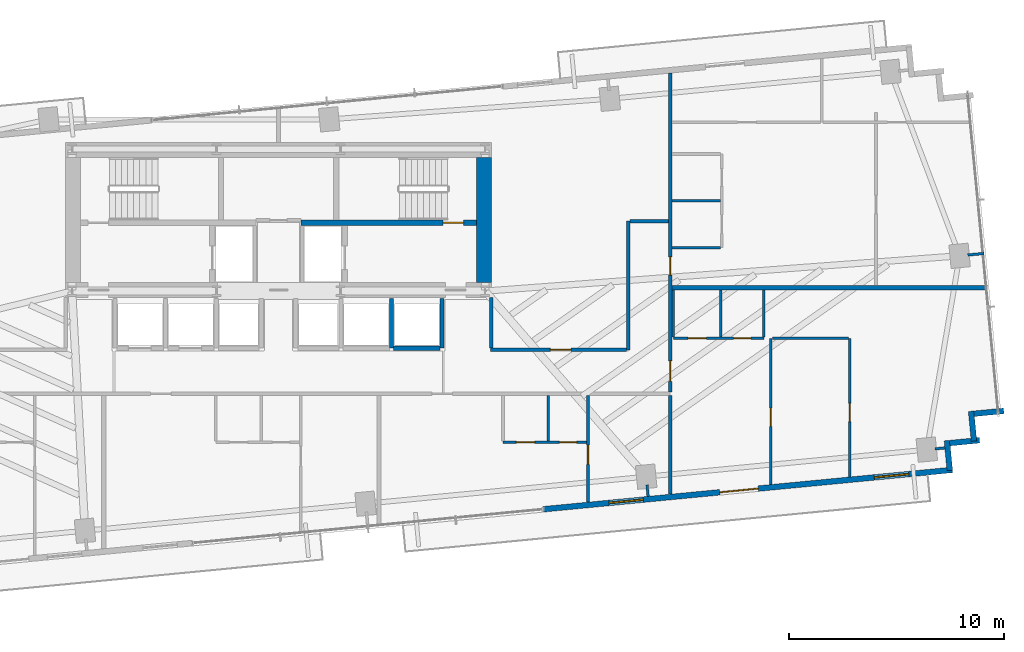
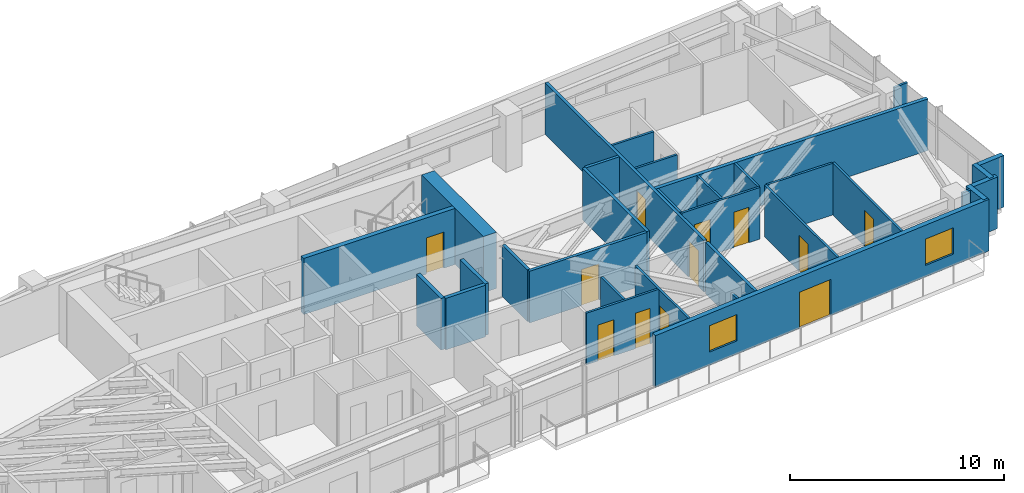
# One storey, part 23 of 27: 32 walls, 12 doors, 2 windows, 14 openings.
"""IFC4 building model written with IfcOpenShell, lengths in metres."""

from ifc_helpers import new_model, si_unit, direction, frame, frame_2d, origin, place, context, subcontext, project, spatial, rectangle, extrude, source, transform, mapped, material, layer, layer_set, type_object, type_shapes, element, fill, save


model = new_model("IFC4")

# Units and contexts
model_context = context("Model", 3, precision=1e-05, world=origin(), true_north=direction((0.0, 1.0)))
body_context = subcontext(model_context, "Body", "Model", "MODEL_VIEW")
ifc_project = project(units=[si_unit("LENGTHUNIT", "METRE"), si_unit("AREAUNIT", "SQUARE_METRE"), si_unit("VOLUMEUNIT", "CUBIC_METRE"), si_unit("PLANEANGLEUNIT", "RADIAN"), si_unit("MASSUNIT", "GRAM", prefix="KILO")], contexts=[model_context])

# Site, building, storey
site_placement = place(None, origin())
site = spatial("IfcSite", under=ifc_project, at=site_placement, CompositionType="ELEMENT")
building_placement = place(site_placement, origin())
building = spatial("IfcBuilding", under=site, at=building_placement, Name="Astriad Promenade Condominiums", CompositionType="ELEMENT")
storey_placement = place(building_placement, frame((0.0, 0.0, 93.800048828125)))
storey = spatial("IfcBuildingStorey", under=building, at=storey_placement, Name="L26", CompositionType="ELEMENT", Elevation=93.800048828125)

# Wall
ifc_material_1 = material(Name="Concrete C60/75", Category="concrete")
ifc_layer_1 = layer(ifc_material_1, 0.699951171875)
ifc_layer_set_1 = layer_set([ifc_layer_1], Name="Concrete C60/75")
wall_type_1 = type_object("IfcWallType", Name="CW-SHEAR-700", PredefinedType="SHEAR", material=ifc_layer_set_1)
wall_1_placement = place(storey_placement, frame((45.550048828125, 17.802001953125, 0.0), z_axis=(0.0, 0.0, 1.0), x_axis=(0.0, 1.0, 0.0)))
element("IfcWall", 1, at=wall_1_placement, inside=storey, type_object=wall_type_1, Name="CW-CORE-E-L26", PredefinedType="SHEAR", context=body_context, shape_type="SweptSolid", body=[
    extrude(rectangle(XDim=5.7958984375, YDim=0.699951171875, at=frame_2d((2.89794921875, 0.0))), origin(), (0.0, 0.0, 1.0), 3.199951171875),
])

# Wall, opening, door
ifc_material_2 = material(Name="Concrete C50/60", Category="concrete")
ifc_layer_2 = layer(ifc_material_2, 0.25)
ifc_layer_set_2 = layer_set([ifc_layer_2], Name="Concrete C50/60")
wall_type_2 = type_object("IfcWallType", Name="WALL-CORE-INT-250", PredefinedType="SOLIDWALL", material=ifc_layer_set_2)
wall_2_placement = place(storey_placement, frame((37.050048828125, 20.574951171875, 0.0), z_axis=(0.0, 0.0, 1.0), x_axis=(1.0, 0.0, 0.0)))
wall_2 = element("IfcWall", 2, at=wall_2_placement, inside=storey, type_object=wall_type_2, Name="CW-INT-H2-L26", PredefinedType="SOLIDWALL", context=body_context, shape_type="SweptSolid", body=[
    extrude(rectangle(XDim=8.14794921875, YDim=0.25, at=frame_2d((4.073974609375, 0.0))), origin(), (0.0, 0.0, 1.0), 3.199951171875),
])
opening_1_placement = place(wall_2_placement, frame((6.60009765625, 0.0, 0.0)))
opening_1 = element("IfcOpeningElement", 3, at=opening_1_placement, cuts=wall_2, Name="Opening FD90-ST-095", PredefinedType="OPENING", context=body_context, shape_type="SweptSolid", body=[
    extrude(rectangle(XDim=0.949951171875, YDim=2.06005859375, at=frame_2d((0.47509765625, 1.030029296875))), frame((0.0, 0.135009765625, 0.0), z_axis=(0.0, -1.0, 0.0), x_axis=(1.0, 0.0, 0.0)), (0.0, 0.0, 1.0), 0.27001953125),
])
ifc_material_3 = material(Name="Fire-Rated Hollow Metal Stair Door")
door_type_1 = type_object("IfcDoorType", Name="FD90-ST-095", OperationType="NOTDEFINED", PredefinedType="DOOR", material=ifc_material_3)
shared_shape_1 = source(origin(), body_context, "Body", "SweptSolid", [
    extrude(rectangle(XDim=0.949951171875, YDim=2.06005859375, at=frame_2d((0.47509765625, 1.030029296875))), frame((0.0, 0.02490234375, 0.0), z_axis=(0.0, -1.0, 0.0), x_axis=(1.0, 0.0, 0.0)), (0.0, 0.0, 1.0), 0.050048828125),
])
type_shapes(door_type_1, [shared_shape_1])
door_1_placement = place(opening_1_placement, origin())
door_1 = element("IfcDoor", 4, at=door_1_placement, inside=storey, type_object=door_type_1, Name="D-ST2-L26", OperationType="SINGLE_SWING_LEFT", OverallHeight=2.06005859375, OverallWidth=0.949951171875, PredefinedType="DOOR", context=body_context, shape_type="MappedRepresentation", body=[
    mapped(shared_shape_1, transform((0.0, 0.0, 0.0), scale=1.0)),
])
fill(opening_1, door_1)

# Wall
ifc_material_4 = material(Name="Fire-Rated Gypsum Partition")
ifc_layer_3 = layer(ifc_material_4, 0.159912109375)
ifc_layer_set_3 = layer_set([ifc_layer_3], Name="Fire-Rated Gypsum Partition")
wall_type_3 = type_object("IfcWallType", Name="WALL-CORR-160", PredefinedType="PARTITIONING", material=ifc_layer_set_3)
wall_3_placement = place(storey_placement, frame((54.199951171875, 7.961181640625, 0.0), z_axis=(0.0, 0.0, 1.0), x_axis=(0.0, 1.0, 0.0)))
element("IfcWall", 5, at=wall_3_placement, inside=storey, type_object=wall_type_3, Name="PT-COR-E-L26", PredefinedType="PARTITIONING", context=body_context, shape_type="SweptSolid", body=[
    extrude(rectangle(XDim=4.5869140625, YDim=0.159912109375, at=frame_2d((2.29345703125, 0.0))), origin(), (0.0, 0.0, 1.0), 2.93994140625),
])

# Wall, openings, doors
wall_4_placement = place(storey_placement, frame((54.199951171875, 12.7119140625, 0.0), z_axis=(0.0, 0.0, 1.0), x_axis=(0.0, 1.0, 0.0)))
wall_4 = element("IfcWall", 6, at=wall_4_placement, inside=storey, type_object=wall_type_3, Name="PT-COR-E-L26-S2", PredefinedType="PARTITIONING", context=body_context, shape_type="SweptSolid", body=[
    extrude(rectangle(XDim=14.8154296875, YDim=0.159912109375, at=frame_2d((7.40771484375, 0.0))), origin(), (0.0, 0.0, 1.0), 2.93994140625),
])
opening_2_placement = place(wall_4_placement, frame((0.492919921875, 0.0, 0.0)))
opening_2 = element("IfcOpeningElement", 7, at=opening_2_placement, cuts=wall_4, Name="Opening FD60-APT-095", PredefinedType="OPENING", context=body_context, shape_type="SweptSolid", body=[
    extrude(rectangle(XDim=0.949951171875, YDim=2.06005859375, at=frame_2d((0.47509765625, 1.030029296875))), frame((0.0, 0.08984375, 0.0), z_axis=(0.0, -1.0, 0.0), x_axis=(1.0, 0.0, 0.0)), (0.0, 0.0, 1.0), 0.179931640625),
])
opening_3_placement = place(wall_4_placement, frame((5.43310546875, 0.0, 0.0)))
opening_3 = element("IfcOpeningElement", 8, at=opening_3_placement, cuts=wall_4, Name="Opening FD60-ULOW-085", PredefinedType="OPENING", context=body_context, shape_type="SweptSolid", body=[
    extrude(rectangle(XDim=0.85009765625, YDim=2.0, at=frame_2d((0.425048828125, 1.0))), frame((0.0, 0.08984375, 0.0), z_axis=(0.0, -1.0, 0.0), x_axis=(1.0, 0.0, 0.0)), (0.0, 0.0, 1.0), 0.179931640625),
])
ifc_material_5 = material(Name="Solid-Core Acoustic Timber Residence Entry Door", Category="wood")
door_type_2 = type_object("IfcDoorType", Name="FD60-APT-095", OperationType="NOTDEFINED", PredefinedType="DOOR", material=ifc_material_5)
shared_shape_2 = source(origin(), body_context, "Body", "SweptSolid", [
    extrude(rectangle(XDim=0.949951171875, YDim=2.06005859375, at=frame_2d((0.47509765625, 1.030029296875))), frame((0.0, 0.02490234375, 0.0), z_axis=(0.0, -1.0, 0.0), x_axis=(1.0, 0.0, 0.0)), (0.0, 0.0, 1.0), 0.050048828125),
])
type_shapes(door_type_2, [shared_shape_2])
door_2_placement = place(opening_2_placement, origin())
door_2 = element("IfcDoor", 9, at=door_2_placement, inside=storey, type_object=door_type_2, Name="D-ENT-L26-E1", OperationType="SINGLE_SWING_LEFT", OverallHeight=2.06005859375, OverallWidth=0.949951171875, PredefinedType="DOOR", context=body_context, shape_type="MappedRepresentation", body=[
    mapped(shared_shape_2, transform((0.0, 0.0, 0.0), scale=1.0)),
])
fill(opening_2, door_2)
ifc_material_6 = material(Name="Solid-Core Low-Headroom Fire Door")
door_type_3 = type_object("IfcDoorType", Name="FD60-ULOW-085", OperationType="NOTDEFINED", PredefinedType="DOOR", material=ifc_material_6)
shared_shape_3 = source(origin(), body_context, "Body", "SweptSolid", [
    extrude(rectangle(XDim=0.85009765625, YDim=2.0, at=frame_2d((0.425048828125, 1.0))), frame((0.0, 0.02490234375, 0.0), z_axis=(0.0, -1.0, 0.0), x_axis=(1.0, 0.0, 0.0)), (0.0, 0.0, 1.0), 0.050048828125),
])
type_shapes(door_type_3, [shared_shape_3])
door_3_placement = place(opening_3_placement, origin())
door_3 = element("IfcDoor", 10, at=door_3_placement, inside=storey, type_object=door_type_3, Name="D-ENT-L26-E2", OperationType="SINGLE_SWING_RIGHT", OverallHeight=2.0, OverallWidth=0.85009765625, PredefinedType="DOOR", context=body_context, shape_type="MappedRepresentation", body=[
    mapped(shared_shape_3, transform((0.0, 0.0, 0.0), scale=1.0)),
])
fill(opening_3, door_3)

# Walls
wall_5_placement = place(storey_placement, frame((52.25, 14.659912109375, 0.0), z_axis=(0.0, 0.0, 1.0), x_axis=(0.0, 1.0, 0.0)))
element("IfcWall", 11, at=wall_5_placement, inside=storey, type_object=wall_type_3, Name="PT-EALC-W-L26", PredefinedType="PARTITIONING", context=body_context, shape_type="SweptSolid", body=[
    extrude(rectangle(XDim=5.989990234375, YDim=0.159912109375, at=frame_2d((2.9951171875, 0.0))), origin(), (0.0, 0.0, 1.0), 2.93994140625),
])
wall_6_placement = place(storey_placement, frame((52.33203125, 20.64990234375, 0.0), z_axis=(0.0, 0.0, 1.0), x_axis=(1.0, 0.0, 0.0)))
element("IfcWall", 12, at=wall_6_placement, inside=storey, type_object=wall_type_3, Name="PT-EALC-N-L26", PredefinedType="PARTITIONING", context=body_context, shape_type="SweptSolid", body=[
    extrude(rectangle(XDim=1.785888671875, YDim=0.159912109375, at=frame_2d((0.89306640625, 0.0))), origin(), (0.0, 0.0, 1.0), 2.93994140625),
])

# Wall, opening, door
wall_7_placement = place(storey_placement, frame((45.840087890625, 14.679931640625, 0.0), z_axis=(0.0, 0.0, 1.0), x_axis=(1.0, 0.0, 0.0)))
wall_7 = element("IfcWall", 13, at=wall_7_placement, inside=storey, type_object=wall_type_3, Name="PT-FLK-NE-L26", PredefinedType="PARTITIONING", context=body_context, shape_type="SweptSolid", body=[
    extrude(rectangle(XDim=6.327880859375, YDim=0.159912109375, at=frame_2d((3.1640625, 0.0))), origin(), (0.0, 0.0, 1.0), 2.93994140625),
])
opening_4_placement = place(wall_7_placement, frame((2.7900390625, 0.0, 0.0)))
opening_4 = element("IfcOpeningElement", 14, at=opening_4_placement, cuts=wall_7, Name="Opening FD60-APT-095", PredefinedType="OPENING", context=body_context, shape_type="SweptSolid", body=[
    extrude(rectangle(XDim=0.949951171875, YDim=2.06005859375, at=frame_2d((0.47509765625, 1.030029296875))), frame((0.0, 0.08984375, 0.0), z_axis=(0.0, -1.0, 0.0), x_axis=(1.0, 0.0, 0.0)), (0.0, 0.0, 1.0), 0.179931640625),
])
door_4_placement = place(opening_4_placement, origin())
door_4 = element("IfcDoor", 15, at=door_4_placement, inside=storey, type_object=door_type_2, Name="D-NEA-L26", OperationType="SINGLE_SWING_LEFT", OverallHeight=2.06005859375, OverallWidth=0.949951171875, PredefinedType="DOOR", context=body_context, shape_type="MappedRepresentation", body=[
    mapped(shared_shape_2, transform((0.0, 0.0, 0.0), scale=1.0)),
])
fill(opening_4, door_4)

# Walls
wall_8_placement = place(storey_placement, frame((45.8798828125, 14.761962890625, 0.0), z_axis=(0.0, 0.0, 1.0), x_axis=(0.0, 1.0, 0.0)))
element("IfcWall", 16, at=wall_8_placement, inside=storey, type_object=wall_type_3, Name="PT-ESPUR-E-L26", PredefinedType="PARTITIONING", context=body_context, shape_type="SweptSolid", body=[
    extrude(rectangle(XDim=2.3359375, YDim=0.159912109375, at=frame_2d((1.16796875, 0.0))), origin(), (0.0, 0.0, 1.0), 2.93994140625),
])
ifc_material_7 = material(Name="Acoustic Double-Stud Gypsum Partition")
ifc_layer_4 = layer(ifc_material_7, 0.199951171875)
ifc_layer_set_4 = layer_set([ifc_layer_4], Name="Acoustic Double-Stud Gypsum Partition")
wall_type_4 = type_object("IfcWallType", Name="WALL-DEMISING-200", PredefinedType="PARTITIONING", material=ifc_layer_set_4)
wall_9_placement = place(storey_placement, frame((54.281982421875, 17.550048828125, 0.0), z_axis=(0.0, 0.0, 1.0), x_axis=(1.0, 0.0, 0.0)))
element("IfcWall", 17, at=wall_9_placement, inside=storey, type_object=wall_type_4, Name="PT-DEM-EE-L26", PredefinedType="PARTITIONING", context=body_context, shape_type="SweptSolid", body=[
    extrude(rectangle(XDim=14.655029296875, YDim=0.199951171875, at=frame_2d((7.32763671875, 0.0))), origin(), (0.0, 0.0, 1.0), 2.93994140625),
])
ifc_material_8 = material(Name="Precast concrete C50/60", Category="concrete")
ifc_layer_5 = layer(ifc_material_8, 0.260009765625)
ifc_layer_set_5 = layer_set([ifc_layer_5], Name="Precast concrete C50/60")
wall_type_5 = type_object("IfcWallType", Name="WALL-EXT-TWR-260", PredefinedType="STANDARD", material=ifc_layer_set_5)
for number, where, z_axis, x_axis, name in (
    (18, (69.698486328125, 11.83251953125, 0.0), (0.0, 0.0, 1.0), (-0.99540614245, -0.095742423056, 0.0), "W-SER-L26-14"),
    (19, (68.18310546875, 11.817138671875, 0.0), (0.0, 0.0, 1.0), (0.095915846097, -0.995389446633, 0.0), "W-SER-L26-15"),
):
    element("IfcWall", number, at=place(storey_placement, frame(where, z_axis=z_axis, x_axis=x_axis)), inside=storey, type_object=wall_type_5, Name=name, PredefinedType="STANDARD", context=body_context, shape_type="SweptSolid", body=[
        extrude(rectangle(XDim=1.394775390625, YDim=0.260009765625, at=frame_2d((0.697265625, 0.0))), origin(), (0.0, 0.0, 1.0), 2.93994140625),
    ])
wall_10_placement = place(storey_placement, frame((68.57421875, 10.468505859375, 0.0), z_axis=(0.0, 0.0, 1.0), x_axis=(-0.99540774648, -0.095725744959, 0.0)))
element("IfcWall", 20, at=wall_10_placement, inside=storey, type_object=wall_type_5, Name="W-SER-L26-16", PredefinedType="STANDARD", context=body_context, shape_type="SweptSolid", body=[
    extrude(rectangle(XDim=1.39501953125, YDim=0.260009765625, at=frame_2d((0.697509765625, 0.0))), origin(), (0.0, 0.0, 1.0), 2.93994140625),
])
wall_11_placement = place(storey_placement, frame((67.05859375, 10.453125, 0.0), z_axis=(0.0, 0.0, 1.0), x_axis=(0.095915846097, -0.995389446633, 0.0)))
element("IfcWall", 21, at=wall_11_placement, inside=storey, type_object=wall_type_5, Name="W-SER-L26-17", PredefinedType="STANDARD", context=body_context, shape_type="SweptSolid", body=[
    extrude(rectangle(XDim=1.394775390625, YDim=0.260009765625, at=frame_2d((0.697265625, 0.0))), origin(), (0.0, 0.0, 1.0), 2.93994140625),
])

# Wall, openings, door, windows
wall_12_placement = place(storey_placement, frame((67.3203125, 9.092041015625, 0.0), z_axis=(0.0, 0.0, 1.0), x_axis=(-0.995396521236, -0.095842399342, 0.0)))
wall_12 = element("IfcWall", 22, at=wall_12_placement, inside=storey, type_object=wall_type_5, Name="W-EXT-L26-S1", PredefinedType="STANDARD", context=body_context, shape_type="SweptSolid", body=[
    extrude(rectangle(XDim=19.10986328125, YDim=0.260009765625, at=frame_2d((9.554931640625, 0.0))), origin(), (0.0, 0.0, 1.0), 2.93994140625),
])
opening_5_placement = place(wall_12_placement, frame((9.06689453125, 0.0, 0.0)))
opening_5 = element("IfcOpeningElement", 23, at=opening_5_placement, cuts=wall_12, Name="Opening BD-1822-SLD", PredefinedType="OPENING", context=body_context, shape_type="SweptSolid", body=[
    extrude(rectangle(XDim=1.800048828125, YDim=2.06005859375, at=frame_2d((0.89990234375, 1.030029296875))), frame((0.0, 0.139892578125, 0.0), z_axis=(0.0, -1.0, 0.0), x_axis=(1.0, 0.0, 0.0)), (0.0, 0.0, 1.0), 0.280029296875),
])
opening_6_placement = place(wall_12_placement, frame((2.050048828125, 0.0, 0.64990234375)))
opening_6 = element("IfcOpeningElement", 24, at=opening_6_placement, cuts=wall_12, Name="Opening WIN-TWR-1620", PredefinedType="OPENING", context=body_context, shape_type="SweptSolid", body=[
    extrude(rectangle(XDim=1.60009765625, YDim=1.5, at=frame_2d((0.800048828125, 0.75))), frame((0.0, 0.139892578125, 0.0), z_axis=(0.0, -1.0, 0.0), x_axis=(1.0, 0.0, 0.0)), (0.0, 0.0, 1.0), 0.280029296875),
])
opening_7_placement = place(wall_12_placement, frame((14.43798828125, 0.0, 0.75)))
opening_7 = element("IfcOpeningElement", 25, at=opening_7_placement, cuts=wall_12, Name="Opening WIN-TWR-1620", PredefinedType="OPENING", context=body_context, shape_type="SweptSolid", body=[
    extrude(rectangle(XDim=1.60009765625, YDim=1.5, at=frame_2d((0.800048828125, 0.75))), frame((0.0, 0.139892578125, 0.0), z_axis=(0.0, -1.0, 0.0), x_axis=(1.0, 0.0, 0.0)), (0.0, 0.0, 1.0), 0.280029296875),
])
ifc_material_9 = material(Name="Thermally Broken Aluminium Sliding Balcony Door", Category="aluminium")
door_type_4 = type_object("IfcDoorType", Name="BD-1822-SLD", OperationType="NOTDEFINED", PredefinedType="DOOR", material=ifc_material_9)
shared_shape_4 = source(origin(), body_context, "Body", "SweptSolid", [
    extrude(rectangle(XDim=1.800048828125, YDim=2.06005859375, at=frame_2d((0.89990234375, 1.030029296875))), frame((0.0, 0.02490234375, 0.0), z_axis=(0.0, -1.0, 0.0), x_axis=(1.0, 0.0, 0.0)), (0.0, 0.0, 1.0), 0.050048828125),
])
type_shapes(door_type_4, [shared_shape_4])
door_5_placement = place(opening_5_placement, origin())
door_5 = element("IfcDoor", 26, at=door_5_placement, inside=storey, type_object=door_type_4, Name="BD-L26-SE", OperationType="SLIDING_TO_RIGHT", OverallHeight=2.06005859375, OverallWidth=1.800048828125, PredefinedType="DOOR", context=body_context, shape_type="MappedRepresentation", body=[
    mapped(shared_shape_4, transform((0.0, 0.0, 0.0), scale=1.0)),
])
fill(opening_5, door_5)
ifc_material_10 = material(Name="Dark Tinted Triple-Glazed Aluminium Window", Category="aluminium")
window_type = type_object("IfcWindowType", Name="WIN-TWR-1620", PartitioningType="SINGLE_PANEL", PredefinedType="WINDOW", material=ifc_material_10)
shared_shape_5 = source(origin(), body_context, "Body", "SweptSolid", [
    extrude(rectangle(XDim=1.60009765625, YDim=1.5, at=frame_2d((0.800048828125, 0.75))), frame((0.0, 0.030029296875, 0.0), z_axis=(0.0, -1.0, 0.0), x_axis=(1.0, 0.0, 0.0)), (0.0, 0.0, 1.0), 0.06005859375),
])
type_shapes(window_type, [shared_shape_5])
window_1_placement = place(opening_6_placement, origin())
window_1 = element("IfcWindow", 27, at=window_1_placement, inside=storey, type_object=window_type, Name="WIN-L26-SE", OverallHeight=1.5, OverallWidth=1.60009765625, PartitioningType="SINGLE_PANEL", PredefinedType="WINDOW", context=body_context, shape_type="MappedRepresentation", body=[
    mapped(shared_shape_5, transform((0.0, 0.0, 0.0), scale=1.0)),
])
fill(opening_6, window_1)
window_2_placement = place(opening_7_placement, origin())
window_2 = element("IfcWindow", 28, at=window_2_placement, inside=storey, type_object=window_type, Name="WIN-DW-L26-S3-BD1", OverallHeight=1.5, OverallWidth=1.60009765625, PartitioningType="SINGLE_PANEL", PredefinedType="WINDOW", context=body_context, shape_type="MappedRepresentation", body=[
    mapped(shared_shape_5, transform((0.0, 0.0, 0.0), scale=1.0)),
])
fill(opening_7, window_2)

# Wall, opening, door
ifc_material_11 = material(Name="Acoustic Metal-Stud Gypsum Partition")
ifc_layer_6 = layer(ifc_material_11, 0.1201171875)
ifc_layer_set_6 = layer_set([ifc_layer_6], Name="Acoustic Metal-Stud Gypsum Partition")
wall_type_6 = type_object("IfcWallType", Name="WALL-PART-120", PredefinedType="PARTITIONING", material=ifc_layer_set_6)
wall_13_placement = place(storey_placement, frame((50.3798828125, 7.593505859375, 0.0), z_axis=(0.0, 0.0, 1.0), x_axis=(0.0, 1.0, 0.0)))
wall_13 = element("IfcWall", 29, at=wall_13_placement, inside=storey, type_object=wall_type_6, Name="PT-L26-S3-BD1", PredefinedType="PARTITIONING", context=body_context, shape_type="SweptSolid", body=[
    extrude(rectangle(XDim=4.95458984375, YDim=0.1201171875, at=frame_2d((2.477294921875, 0.0))), origin(), (0.0, 0.0, 1.0), 2.93994140625),
])
opening_8_placement = place(wall_13_placement, frame((1.75244140625, 0.0, 0.0)))
opening_8 = element("IfcOpeningElement", 30, at=opening_8_placement, cuts=wall_13, Name="Opening D-INT-090", PredefinedType="OPENING", context=body_context, shape_type="SweptSolid", body=[
    extrude(rectangle(XDim=0.89990234375, YDim=2.050048828125, at=frame_2d((0.449951171875, 1.02490234375))), frame((0.0, 0.070068359375, 0.0), z_axis=(0.0, -1.0, 0.0), x_axis=(1.0, 0.0, 0.0)), (0.0, 0.0, 1.0), 0.14013671875),
])
ifc_material_12 = material(Name="Painted Solid-Core Timber Bedroom Door", Category="wood")
door_type_5 = type_object("IfcDoorType", Name="D-INT-090", OperationType="NOTDEFINED", PredefinedType="DOOR", material=ifc_material_12)
shared_shape_6 = source(origin(), body_context, "Body", "SweptSolid", [
    extrude(rectangle(XDim=0.89990234375, YDim=2.050048828125, at=frame_2d((0.449951171875, 1.02490234375))), frame((0.0, 0.02490234375, 0.0), z_axis=(0.0, -1.0, 0.0), x_axis=(1.0, 0.0, 0.0)), (0.0, 0.0, 1.0), 0.050048828125),
])
type_shapes(door_type_5, [shared_shape_6])
door_6_placement = place(opening_8_placement, origin())
door_6 = element("IfcDoor", 31, at=door_6_placement, inside=storey, type_object=door_type_5, Name="D-BD1-L26-S3", OperationType="SINGLE_SWING_RIGHT", OverallHeight=2.050048828125, OverallWidth=0.89990234375, PredefinedType="DOOR", context=body_context, shape_type="MappedRepresentation", body=[
    mapped(shared_shape_6, transform((0.0, 0.0, 0.0), scale=1.0)),
])
fill(opening_8, door_6)

# Wall, openings, doors
wall_14_placement = place(storey_placement, frame((46.429931640625, 10.3798828125, 0.0), z_axis=(0.0, 0.0, 1.0), x_axis=(1.0, 0.0, 0.0)))
wall_14 = element("IfcWall", 32, at=wall_14_placement, inside=storey, type_object=wall_type_6, Name="PT-L26-S3-PS", PredefinedType="PARTITIONING", context=body_context, shape_type="SweptSolid", body=[
    extrude(rectangle(XDim=3.88818359375, YDim=0.1201171875, at=frame_2d((1.944091796875, 0.0))), origin(), (0.0, 0.0, 1.0), 2.93994140625),
])
opening_9_placement = place(wall_14_placement, frame((0.625, 0.0, 0.0)))
opening_9 = element("IfcOpeningElement", 33, at=opening_9_placement, cuts=wall_14, Name="Opening D-INT-085", PredefinedType="OPENING", context=body_context, shape_type="SweptSolid", body=[
    extrude(rectangle(XDim=0.85009765625, YDim=2.050048828125, at=frame_2d((0.425048828125, 1.02490234375))), frame((0.0, 0.070068359375, 0.0), z_axis=(0.0, -1.0, 0.0), x_axis=(1.0, 0.0, 0.0)), (0.0, 0.0, 1.0), 0.14013671875),
])
opening_10_placement = place(wall_14_placement, frame((2.625, 0.0, 0.0)))
opening_10 = element("IfcOpeningElement", 34, at=opening_10_placement, cuts=wall_14, Name="Opening D-WET-080", PredefinedType="OPENING", context=body_context, shape_type="SweptSolid", body=[
    extrude(rectangle(XDim=0.800048828125, YDim=2.02001953125, at=frame_2d((0.39990234375, 1.010009765625))), frame((0.0, 0.070068359375, 0.0), z_axis=(0.0, -1.0, 0.0), x_axis=(1.0, 0.0, 0.0)), (0.0, 0.0, 1.0), 0.14013671875),
])
ifc_material_13 = material(Name="Moisture-Resistant Timber Bathroom Door", Category="wood")
door_type_6 = type_object("IfcDoorType", Name="D-WET-080", OperationType="NOTDEFINED", PredefinedType="DOOR", material=ifc_material_13)
shared_shape_7 = source(origin(), body_context, "Body", "SweptSolid", [
    extrude(rectangle(XDim=0.800048828125, YDim=2.02001953125, at=frame_2d((0.39990234375, 1.010009765625))), frame((0.0, 0.02490234375, 0.0), z_axis=(0.0, -1.0, 0.0), x_axis=(1.0, 0.0, 0.0)), (0.0, 0.0, 1.0), 0.050048828125),
])
type_shapes(door_type_6, [shared_shape_7])
door_7_placement = place(opening_10_placement, origin())
door_7 = element("IfcDoor", 35, at=door_7_placement, inside=storey, type_object=door_type_6, Name="D-BTH-L26-S3", OperationType="SINGLE_SWING_RIGHT", OverallHeight=2.02001953125, OverallWidth=0.800048828125, PredefinedType="DOOR", context=body_context, shape_type="MappedRepresentation", body=[
    mapped(shared_shape_7, transform((0.0, 0.0, 0.0), scale=1.0)),
])
fill(opening_10, door_7)
ifc_material_14 = material(Name="Painted Solid-Core Timber Room Door", Category="wood")
door_type_7 = type_object("IfcDoorType", Name="D-INT-085", OperationType="NOTDEFINED", PredefinedType="DOOR", material=ifc_material_14)
shared_shape_8 = source(origin(), body_context, "Body", "SweptSolid", [
    extrude(rectangle(XDim=0.85009765625, YDim=2.050048828125, at=frame_2d((0.425048828125, 1.02490234375))), frame((0.0, 0.02490234375, 0.0), z_axis=(0.0, -1.0, 0.0), x_axis=(1.0, 0.0, 0.0)), (0.0, 0.0, 1.0), 0.050048828125),
])
type_shapes(door_type_7, [shared_shape_8])
door_8_placement = place(opening_9_placement, origin())
door_8 = element("IfcDoor", 36, at=door_8_placement, inside=storey, type_object=door_type_7, Name="D-KIT-L26-S3", OperationType="SINGLE_SWING_LEFT", OverallHeight=2.050048828125, OverallWidth=0.85009765625, PredefinedType="DOOR", context=body_context, shape_type="MappedRepresentation", body=[
    mapped(shared_shape_8, transform((0.0, 0.0, 0.0), scale=1.0)),
])
fill(opening_9, door_8)

# Wall
wall_15_placement = place(storey_placement, frame((48.530029296875, 10.44189453125, 0.0), z_axis=(0.0, 0.0, 1.0), x_axis=(0.0, 1.0, 0.0)))
element("IfcWall", 37, at=wall_15_placement, inside=storey, type_object=wall_type_6, Name="PT-L26-S3-PBK", PredefinedType="PARTITIONING", context=body_context, shape_type="SweptSolid", body=[
    extrude(rectangle(XDim=2.106201171875, YDim=0.1201171875, at=frame_2d((1.05322265625, 0.0))), origin(), (0.0, 0.0, 1.0), 2.93994140625),
])

# Wall, openings, doors
wall_16_placement = place(storey_placement, frame((54.35009765625, 15.199951171875, 0.0), z_axis=(0.0, 0.0, 1.0), x_axis=(1.0, 0.0, 0.0)))
wall_16 = element("IfcWall", 38, at=wall_16_placement, inside=storey, type_object=wall_type_6, Name="PT-L26-E1-PH", PredefinedType="PARTITIONING", context=body_context, shape_type="SweptSolid", body=[
    extrude(rectangle(XDim=4.199951171875, YDim=0.1201171875, at=frame_2d((2.10009765625, 0.0))), origin(), (0.0, 0.0, 1.0), 2.93994140625),
])
opening_11_placement = place(wall_16_placement, frame((0.675048828125, 0.0, 0.0)))
opening_11 = element("IfcOpeningElement", 39, at=opening_11_placement, cuts=wall_16, Name="Opening D-INT-085", PredefinedType="OPENING", context=body_context, shape_type="SweptSolid", body=[
    extrude(rectangle(XDim=0.85009765625, YDim=2.050048828125, at=frame_2d((0.425048828125, 1.02490234375))), frame((0.0, 0.070068359375, 0.0), z_axis=(0.0, -1.0, 0.0), x_axis=(1.0, 0.0, 0.0)), (0.0, 0.0, 1.0), 0.14013671875),
])
opening_12_placement = place(wall_16_placement, frame((2.800048828125, 0.0, 0.0)))
opening_12 = element("IfcOpeningElement", 40, at=opening_12_placement, cuts=wall_16, Name="Opening D-WET-080", PredefinedType="OPENING", context=body_context, shape_type="SweptSolid", body=[
    extrude(rectangle(XDim=0.800048828125, YDim=2.02001953125, at=frame_2d((0.39990234375, 1.010009765625))), frame((0.0, 0.070068359375, 0.0), z_axis=(0.0, -1.0, 0.0), x_axis=(1.0, 0.0, 0.0)), (0.0, 0.0, 1.0), 0.14013671875),
])
door_9_placement = place(opening_12_placement, origin())
door_9 = element("IfcDoor", 41, at=door_9_placement, inside=storey, type_object=door_type_6, Name="D-BTH-L26-E1", OperationType="SINGLE_SWING_LEFT", OverallHeight=2.02001953125, OverallWidth=0.800048828125, PredefinedType="DOOR", context=body_context, shape_type="MappedRepresentation", body=[
    mapped(shared_shape_7, transform((0.0, 0.0, 0.0), scale=1.0)),
])
fill(opening_12, door_9)
door_10_placement = place(opening_11_placement, origin())
door_10 = element("IfcDoor", 42, at=door_10_placement, inside=storey, type_object=door_type_7, Name="D-KIT-L26-E1", OperationType="SINGLE_SWING_RIGHT", OverallHeight=2.050048828125, OverallWidth=0.85009765625, PredefinedType="DOOR", context=body_context, shape_type="MappedRepresentation", body=[
    mapped(shared_shape_8, transform((0.0, 0.0, 0.0), scale=1.0)),
])
fill(opening_11, door_10)

# Walls
for number, where, z_axis, x_axis, name in (
    (43, (54.35009765625, 15.261962890625, 0.0), (0.0, 0.0, 1.0), (0.0, 1.0, 0.0), "PT-L26-E1-PK1"),
    (44, (56.550048828125, 15.261962890625, 0.0), (0.0, 0.0, 1.0), (0.0, 1.0, 0.0), "PT-L26-E1-PK2"),
    (45, (58.550048828125, 15.261962890625, 0.0), (0.0, 0.0, 1.0), (0.0, 1.0, 0.0), "PT-L26-E1-PK3"),
):
    element("IfcWall", number, at=place(storey_placement, frame(where, z_axis=z_axis, x_axis=x_axis)), inside=storey, type_object=wall_type_6, Name=name, PredefinedType="PARTITIONING", context=body_context, shape_type="SweptSolid", body=[
        extrude(rectangle(XDim=2.18603515625, YDim=0.1201171875, at=frame_2d((1.093017578125, 0.0))), origin(), (0.0, 0.0, 1.0), 2.93994140625),
    ])

# Wall, opening, door
wall_17_placement = place(storey_placement, frame((58.8798828125, 8.411865234375, 0.0), z_axis=(0.0, 0.0, 1.0), x_axis=(0.0, 1.0, 0.0)))
wall_17 = element("IfcWall", 46, at=wall_17_placement, inside=storey, type_object=wall_type_6, Name="PT-L26-E1-CAP1", PredefinedType="PARTITIONING", context=body_context, shape_type="SweptSolid", body=[
    extrude(rectangle(XDim=6.7880859375, YDim=0.1201171875, at=frame_2d((3.39404296875, 0.0))), origin(), (0.0, 0.0, 1.0), 2.93994140625),
])
opening_13_placement = place(wall_17_placement, frame((2.696044921875, 0.0, 0.0)))
opening_13 = element("IfcOpeningElement", 47, at=opening_13_placement, cuts=wall_17, Name="Opening D-INT-085", PredefinedType="OPENING", context=body_context, shape_type="SweptSolid", body=[
    extrude(rectangle(XDim=0.85009765625, YDim=2.050048828125, at=frame_2d((0.425048828125, 1.02490234375))), frame((0.0, 0.070068359375, 0.0), z_axis=(0.0, -1.0, 0.0), x_axis=(1.0, 0.0, 0.0)), (0.0, 0.0, 1.0), 0.14013671875),
])
door_11_placement = place(opening_13_placement, origin())
door_11 = element("IfcDoor", 48, at=door_11_placement, inside=storey, type_object=door_type_7, Name="D-CAP1-L26-E1", OperationType="SINGLE_SWING_RIGHT", OverallHeight=2.050048828125, OverallWidth=0.85009765625, PredefinedType="DOOR", context=body_context, shape_type="MappedRepresentation", body=[
    mapped(shared_shape_8, transform((0.0, 0.0, 0.0), scale=1.0)),
])
fill(opening_13, door_11)

wall_18_placement = place(storey_placement, frame((62.535888671875, 8.763916015625, 0.0), z_axis=(0.0, 0.0, 1.0), x_axis=(0.0, 1.0, 0.0)))
wall_18 = element("IfcWall", 49, at=wall_18_placement, inside=storey, type_object=wall_type_6, Name="PT-L26-E1-CAP2", PredefinedType="PARTITIONING", context=body_context, shape_type="SweptSolid", body=[
    extrude(rectangle(XDim=6.43603515625, YDim=0.1201171875, at=frame_2d((3.218017578125, 0.0))), origin(), (0.0, 0.0, 1.0), 2.93994140625),
])
opening_14_placement = place(wall_18_placement, frame((2.568115234375, 0.0, 0.0)))
opening_14 = element("IfcOpeningElement", 50, at=opening_14_placement, cuts=wall_18, Name="Opening D-INT-085", PredefinedType="OPENING", context=body_context, shape_type="SweptSolid", body=[
    extrude(rectangle(XDim=0.85009765625, YDim=2.050048828125, at=frame_2d((0.425048828125, 1.02490234375))), frame((0.0, 0.070068359375, 0.0), z_axis=(0.0, -1.0, 0.0), x_axis=(1.0, 0.0, 0.0)), (0.0, 0.0, 1.0), 0.14013671875),
])
door_12_placement = place(opening_14_placement, origin())
door_12 = element("IfcDoor", 51, at=door_12_placement, inside=storey, type_object=door_type_7, Name="D-CAP2-L26-E1", OperationType="SINGLE_SWING_LEFT", OverallHeight=2.050048828125, OverallWidth=0.85009765625, PredefinedType="DOOR", context=body_context, shape_type="MappedRepresentation", body=[
    mapped(shared_shape_8, transform((0.0, 0.0, 0.0), scale=1.0)),
])
fill(opening_14, door_12)

# Walls
wall_19_placement = place(storey_placement, frame((58.94189453125, 15.199951171875, 0.0), z_axis=(0.0, 0.0, 1.0), x_axis=(1.0, 0.0, 0.0)))
element("IfcWall", 52, at=wall_19_placement, inside=storey, type_object=wall_type_6, Name="PT-L26-E1-CAP2H", PredefinedType="PARTITIONING", context=body_context, shape_type="SweptSolid", body=[
    extrude(rectangle(XDim=3.5322265625, YDim=0.1201171875, at=frame_2d((1.76611328125, 0.0))), origin(), (0.0, 0.0, 1.0), 2.93994140625),
])
for number, where, z_axis, x_axis, name in (
    (53, (54.281982421875, 21.594970703125, 0.0), (0.0, 0.0, 1.0), (1.0, 0.0, 0.0), "PT-L26-E2-PM"),
    (54, (54.281982421875, 19.419921875, 0.0), (0.0, 0.0, 1.0), (1.0, 0.0, 0.0), "PT-L26-E2-PS"),
):
    element("IfcWall", number, at=place(storey_placement, frame(where, z_axis=z_axis, x_axis=x_axis)), inside=storey, type_object=wall_type_6, Name=name, PredefinedType="PARTITIONING", context=body_context, shape_type="SweptSolid", body=[
        extrude(rectangle(XDim=2.256103515625, YDim=0.1201171875, at=frame_2d((1.1279296875, 0.0))), origin(), (0.0, 0.0, 1.0), 2.93994140625),
    ])
wall_20_placement = place(storey_placement, frame((53.121337890625, 8.39794921875, 0.0), z_axis=(0.0, 0.0, 1.0), x_axis=(0.096179204763, -0.995364034196, 0.0)))
element("IfcWall", 55, at=wall_20_placement, inside=storey, type_object=wall_type_6, Name="PT-PIL-L26-PC04-11", PredefinedType="PARTITIONING", context=body_context, shape_type="SweptSolid", body=[
    extrude(rectangle(XDim=0.5380859375, YDim=0.1201171875, at=frame_2d((0.26904296875, 0.0))), origin(), (0.0, 0.0, 1.0), 2.93994140625),
])
wall_21_placement = place(storey_placement, frame((66.5029296875, 10.068115234375, 0.0), z_axis=(0.0, 0.0, 1.0), x_axis=(0.995389482415, 0.095915474751, 0.0)))
element("IfcWall", 56, at=wall_21_placement, inside=storey, type_object=wall_type_6, Name="PT-PIL-L26-PC05-12", PredefinedType="PARTITIONING", context=body_context, shape_type="SweptSolid", body=[
    extrude(rectangle(XDim=0.458251953125, YDim=0.1201171875, at=frame_2d((0.22900390625, 0.0))), origin(), (0.0, 0.0, 1.0), 2.93994140625),
])
wall_22_placement = place(storey_placement, frame((68.026611328125, 19.07568359375, 0.0), z_axis=(0.0, 0.0, 1.0), x_axis=(0.995377786728, 0.096036772582, 0.0)))
element("IfcWall", 57, at=wall_22_placement, inside=storey, type_object=wall_type_6, Name="PT-PIL-L26-PC12-19", PredefinedType="PARTITIONING", context=body_context, shape_type="SweptSolid", body=[
    extrude(rectangle(XDim=0.760009765625, YDim=0.1201171875, at=frame_2d((0.3798828125, 0.0))), origin(), (0.0, 0.0, 1.0), 2.93994140625),
])
ifc_material_15 = material(Name="Gypsum Shaftliner Assembly")
ifc_layer_7 = layer(ifc_material_15, 0.199951171875)
ifc_layer_set_7 = layer_set([ifc_layer_7], Name="Gypsum Shaftliner Assembly")
wall_type_7 = type_object("IfcWallType", Name="WALL-SHAFT-200", PredefinedType="PARTITIONING", material=ifc_layer_set_7)
for number, where, z_axis, x_axis, name in (
    (58, (41.25, 14.75, 0.0), (0.0, 0.0, 1.0), (0.0, 1.0, 0.0), "PL-H-DIV-L26"),
    (59, (43.60009765625, 14.75, 0.0), (0.0, 0.0, 1.0), (0.0, 1.0, 0.0), "PL-E-OUT-L26"),
):
    element("IfcWall", number, at=place(storey_placement, frame(where, z_axis=z_axis, x_axis=x_axis)), inside=storey, type_object=wall_type_7, Name=name, PredefinedType="PARTITIONING", context=body_context, shape_type="SweptSolid", body=[
        extrude(rectangle(XDim=2.300048828125, YDim=0.199951171875, at=frame_2d((1.14990234375, 0.0))), origin(), (0.0, 0.0, 1.0), 2.93994140625),
    ])
wall_23_placement = place(storey_placement, frame((41.35205078125, 14.75, 0.0), z_axis=(0.0, 0.0, 1.0), x_axis=(1.0, 0.0, 0.0)))
element("IfcWall", 60, at=wall_23_placement, inside=storey, type_object=wall_type_7, Name="PL-H-FRT-L26-S2", PredefinedType="PARTITIONING", context=body_context, shape_type="SweptSolid", body=[
    extrude(rectangle(XDim=2.14599609375, YDim=0.199951171875, at=frame_2d((1.072998046875, 0.0))), origin(), (0.0, 0.0, 1.0), 2.93994140625),
])

save(model, "model.ifc")
